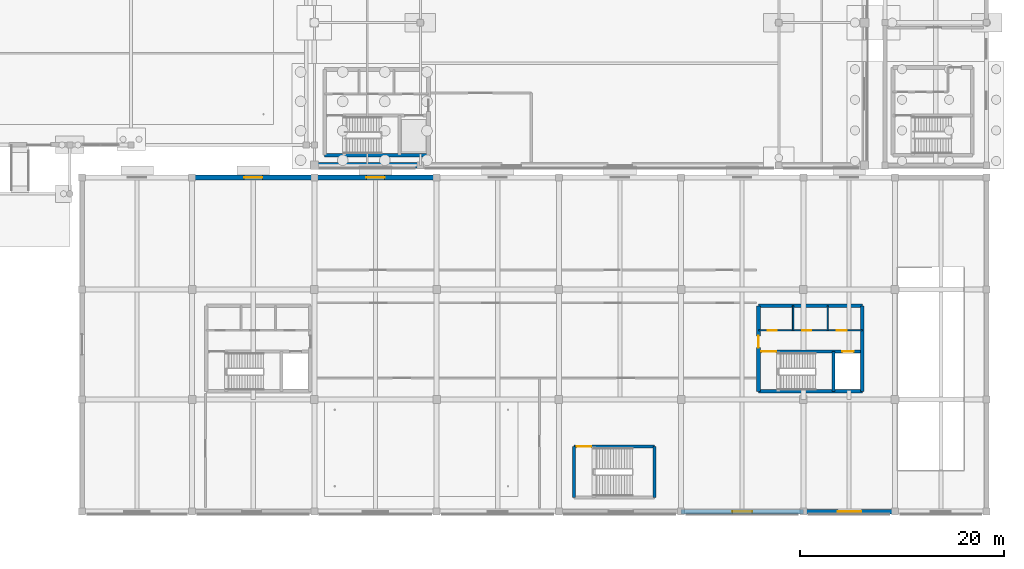
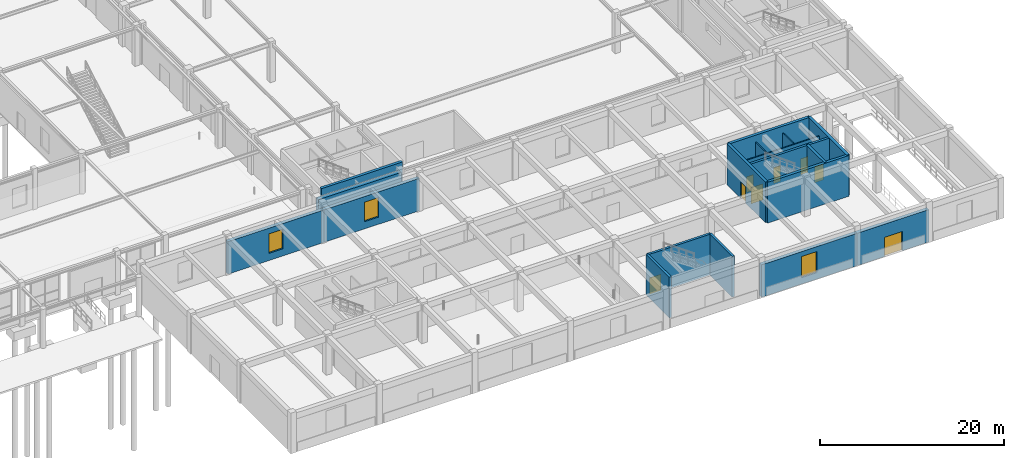
# One storey, part 31 of 53: 18 walls, 8 doors, 3 windows, 11 openings.
"""IFC4 building model written with IfcOpenShell, lengths in metres."""

from ifc_helpers import new_model, si_unit, derived_unit, direction, frame, frame_2d, origin, place, context, subcontext, project, spatial, rectangle, extrude, material, layer, layer_set, type_object, element, fill, save


model = new_model("IFC4")

# Units and contexts
model_context = context("Model", 3, precision=1e-05, world=origin(), true_north=direction((0.0, 1.0)))
body_context = subcontext(model_context, "Body", "Model", "MODEL_VIEW")
ifc_project = project(units=[si_unit("LENGTHUNIT", "METRE"), si_unit("AREAUNIT", "SQUARE_METRE"), si_unit("VOLUMEUNIT", "CUBIC_METRE"), si_unit("PLANEANGLEUNIT", "RADIAN"), si_unit("MASSUNIT", "GRAM", prefix="KILO"), derived_unit("THERMALTRANSMITTANCEUNIT", [(si_unit("POWERUNIT", "WATT"), 1), (si_unit("LENGTHUNIT", "METRE"), -2), (si_unit("THERMODYNAMICTEMPERATUREUNIT", "KELVIN"), -1)])], contexts=[model_context])

# Site, building, storey
site_placement = place(None, origin())
site = spatial("IfcSite", under=ifc_project, at=site_placement, CompositionType="ELEMENT")
building_placement = place(site_placement, origin())
building = spatial("IfcBuilding", under=site, at=building_placement, Name="Almenara Railside Exhibition Hall", CompositionType="ELEMENT")
storey_placement = place(building_placement, origin())
storey = spatial("IfcBuildingStorey", under=building, at=storey_placement, Name="L00", CompositionType="ELEMENT", Elevation=0.0)

# Walls
ifc_material_1 = material(Name="Concrete C35/45", Category="concrete")
ifc_layer_1 = layer(ifc_material_1, 0.35009765625, Name="Concrete C35/45")
ifc_layer_set_1 = layer_set([ifc_layer_1], Name="Concrete C35/45")
wall_type_1 = type_object("IfcWallType", Name="Core Coupled Shear Wall 350mm C35/45", PredefinedType="SHEAR", material=ifc_layer_set_1)
for number, where, z_axis, x_axis, name in (
    (1, (139.0, 35.0, 0.0), (0.0, 0.0, 1.0), (1.0, 0.0, 0.0), "Interior wall 0055"),
    (2, (181.60009765625, 11.800048828125, 0.0), (0.0, 0.0, 1.0), (1.0, 0.0, 0.0), "Interior wall 0154"),
    (3, (191.800048828125, 20.199951171875, 0.0), (0.0, 0.0, 1.0), (-1.0, 0.0, 0.0), "Interior wall 0155"),
):
    element("IfcWall", number, at=place(storey_placement, frame(where, z_axis=z_axis, x_axis=x_axis)), inside=storey, type_object=wall_type_1, Name=name, PredefinedType="SHEAR", context=body_context, shape_type="SweptSolid", body=[
        extrude(rectangle(XDim=10.199951171875, YDim=0.35009765625, at=frame_2d((5.10009765625, 0.0))), origin(), (0.0, 0.0, 1.0), 5.39990234375),
    ])

# Wall, opening, door
wall_1_placement = place(storey_placement, frame((181.60009765625, 20.199951171875, 0.0), z_axis=(0.0, 0.0, 1.0), x_axis=(0.0, -1.0, 0.0)))
wall_1 = element("IfcWall", 4, at=wall_1_placement, inside=storey, type_object=wall_type_1, Name="Interior wall 0156", PredefinedType="SHEAR", context=body_context, shape_type="SweptSolid", body=[
    extrude(rectangle(XDim=8.39990234375, YDim=0.35009765625, at=frame_2d((4.199951171875, 0.0))), origin(), (0.0, 0.0, 1.0), 5.39990234375),
])
opening_1_placement = place(wall_1_placement, frame((2.949951171875, 0.0, 0.0)))
opening_1 = element("IfcOpeningElement", 5, at=opening_1_placement, cuts=wall_1, Name="Opening FD-115", PredefinedType="OPENING", context=body_context, shape_type="SweptSolid", body=[
    extrude(rectangle(XDim=1.14990234375, YDim=2.14990234375, at=frame_2d((0.574951171875, 1.074951171875))), frame((0.0, 0.18505859375, 0.0), z_axis=(0.0, -1.0, 0.0), x_axis=(1.0, 0.0, 0.0)), (0.0, 0.0, 1.0), 0.3701171875),
])
ifc_material_2 = material(Name="Fire-rated iroko timber door", Category="wood")
door_type_1 = type_object("IfcDoorType", Name="Core Lobby Fire Door 1150x2150 EI60", OperationType="NOTDEFINED", PredefinedType="DOOR", material=ifc_material_2)
door_1_placement = place(opening_1_placement, frame((1.14990234375, 0.0, 0.0), z_axis=(0.0, 0.0, 1.0), x_axis=(-1.0, 0.0, 0.0)))
door_1 = element("IfcDoor", 6, at=door_1_placement, inside=storey, type_object=door_type_1, Name="Interior door FD-115-103", OperationType="SINGLE_SWING_LEFT", OverallHeight=2.14990234375, OverallWidth=1.14990234375, PredefinedType="DOOR", context=body_context, shape_type="SweptSolid", body=[
    extrude(rectangle(XDim=1.14990234375, YDim=2.14990234375, at=frame_2d((0.574951171875, 1.074951171875))), frame((0.0, 0.02490234375, 0.0), z_axis=(0.0, -1.0, 0.0), x_axis=(1.0, 0.0, 0.0)), (0.0, 0.0, 1.0), 0.050048828125),
])
fill(opening_1, door_1)

# Wall
wall_2_placement = place(storey_placement, frame((191.800048828125, 11.800048828125, 0.0), z_axis=(0.0, 0.0, 1.0), x_axis=(0.0, 1.0, 0.0)))
element("IfcWall", 7, at=wall_2_placement, inside=storey, type_object=wall_type_1, Name="Interior wall 0157", PredefinedType="SHEAR", context=body_context, shape_type="SweptSolid", body=[
    extrude(rectangle(XDim=8.39990234375, YDim=0.35009765625, at=frame_2d((4.199951171875, 0.0))), origin(), (0.0, 0.0, 1.0), 5.39990234375),
])

# Wall, opening, window
ifc_material_3 = material(Name="Ochre-white lime-rendered masonry over Concrete C35/45", Category="masonry")
ifc_layer_2 = layer(ifc_material_3, 0.449951171875, Name="Ochre-white lime-rendered masonry over Concrete C35/45")
ifc_layer_set_2 = layer_set([ifc_layer_2], Name="Ochre-white lime-rendered masonry over Concrete C35/45")
wall_type_2 = type_object("IfcWallType", Name="Exterior Civic Stucco Wall 450mm C35/45", PredefinedType="SOLIDWALL", material=ifc_layer_set_2)
wall_3_placement = place(storey_placement, frame((138.0, 32.800048828125, 0.0), z_axis=(0.0, 0.0, 1.0), x_axis=(-1.0, 0.0, 0.0)))
wall_3 = element("IfcWall", 8, at=wall_3_placement, inside=storey, type_object=wall_type_2, Name="Exterior wall 0175", PredefinedType="SOLIDWALL", context=body_context, shape_type="SweptSolid", body=[
    extrude(rectangle(XDim=12.0, YDim=0.449951171875, at=frame_2d((6.0, 0.0))), origin(), (0.0, 0.0, 1.0), 4.300048828125),
])
opening_2_placement = place(wall_3_placement, frame((5.10009765625, 0.0, 0.949951171875)))
opening_2 = element("IfcOpeningElement", 9, at=opening_2_placement, cuts=wall_3, Name="Opening W-05", PredefinedType="OPENING", context=body_context, shape_type="SweptSolid", body=[
    extrude(rectangle(XDim=1.800048828125, YDim=2.60009765625, at=frame_2d((0.89990234375, 1.300048828125))), frame((0.0, 0.23486328125, 0.0), z_axis=(0.0, -1.0, 0.0), x_axis=(1.0, 0.0, 0.0)), (0.0, 0.0, 1.0), 0.469970703125),
])
ifc_material_4 = material(Name="Bronze-anodised aluminium and low-E double glazing", Category="aluminium")
window_type_1 = type_object("IfcWindowType", Name="Courtyard Deep-Reveal Window 1800x2600", PartitioningType="DOUBLE_PANEL_VERTICAL", PredefinedType="WINDOW", material=ifc_material_4)
window_1_placement = place(opening_2_placement, origin())
window_1 = element("IfcWindow", 10, at=window_1_placement, inside=storey, type_object=window_type_1, Name="Window 0043", OverallHeight=2.60009765625, OverallWidth=1.800048828125, PartitioningType="DOUBLE_PANEL_VERTICAL", PredefinedType="WINDOW", context=body_context, shape_type="SweptSolid", body=[
    extrude(rectangle(XDim=1.800048828125, YDim=2.60009765625, at=frame_2d((0.89990234375, 1.300048828125))), frame((0.0, 0.030029296875, 0.0), z_axis=(0.0, -1.0, 0.0), x_axis=(1.0, 0.0, 0.0)), (0.0, 0.0, 1.0), 0.06005859375),
])
fill(opening_2, window_1)

wall_4_placement = place(storey_placement, frame((150.0, 32.800048828125, 0.0), z_axis=(0.0, 0.0, 1.0), x_axis=(-1.0, 0.0, 0.0)))
wall_4 = element("IfcWall", 11, at=wall_4_placement, inside=storey, type_object=wall_type_2, Name="Exterior wall 0177", PredefinedType="SOLIDWALL", context=body_context, shape_type="SweptSolid", body=[
    extrude(rectangle(XDim=12.0, YDim=0.449951171875, at=frame_2d((6.0, 0.0))), origin(), (0.0, 0.0, 1.0), 4.300048828125),
])
opening_3_placement = place(wall_4_placement, frame((5.10009765625, 0.0, 0.949951171875)))
opening_3 = element("IfcOpeningElement", 12, at=opening_3_placement, cuts=wall_4, Name="Opening W-05", PredefinedType="OPENING", context=body_context, shape_type="SweptSolid", body=[
    extrude(rectangle(XDim=1.800048828125, YDim=2.60009765625, at=frame_2d((0.89990234375, 1.300048828125))), frame((0.0, 0.23486328125, 0.0), z_axis=(0.0, -1.0, 0.0), x_axis=(1.0, 0.0, 0.0)), (0.0, 0.0, 1.0), 0.469970703125),
])
window_2_placement = place(opening_3_placement, origin())
window_2 = element("IfcWindow", 13, at=window_2_placement, inside=storey, type_object=window_type_1, Name="Window 0045", OverallHeight=2.60009765625, OverallWidth=1.800048828125, PartitioningType="DOUBLE_PANEL_VERTICAL", PredefinedType="WINDOW", context=body_context, shape_type="SweptSolid", body=[
    extrude(rectangle(XDim=1.800048828125, YDim=2.60009765625, at=frame_2d((0.89990234375, 1.300048828125))), frame((0.0, 0.030029296875, 0.0), z_axis=(0.0, -1.0, 0.0), x_axis=(1.0, 0.0, 0.0)), (0.0, 0.0, 1.0), 0.06005859375),
])
fill(opening_3, window_2)

wall_5_placement = place(storey_placement, frame((174.0, 0.0, 0.0), z_axis=(0.0, 0.0, 1.0), x_axis=(1.0, 0.0, 0.0)))
wall_5 = element("IfcWall", 14, at=wall_5_placement, inside=storey, type_object=wall_type_2, Name="Exterior wall 0182", PredefinedType="SOLIDWALL", context=body_context, shape_type="SweptSolid", body=[
    extrude(rectangle(XDim=12.0, YDim=0.449951171875, at=frame_2d((6.0, 0.0))), origin(), (0.0, 0.0, 1.0), 4.300048828125),
])
opening_4_placement = place(wall_5_placement, frame((5.02490234375, 0.0, 0.85009765625)))
opening_4 = element("IfcOpeningElement", 15, at=opening_4_placement, cuts=wall_5, Name="Opening W-04", PredefinedType="OPENING", context=body_context, shape_type="SweptSolid", body=[
    extrude(rectangle(XDim=1.949951171875, YDim=2.800048828125, at=frame_2d((0.97509765625, 1.39990234375))), frame((0.0, 0.23486328125, 0.0), z_axis=(0.0, -1.0, 0.0), x_axis=(1.0, 0.0, 0.0)), (0.0, 0.0, 1.0), 0.469970703125),
])
window_type_2 = type_object("IfcWindowType", Name="Community Forum Window 1950x2800", PartitioningType="DOUBLE_PANEL_VERTICAL", PredefinedType="WINDOW", material=ifc_material_4)
window_3_placement = place(opening_4_placement, origin())
window_3 = element("IfcWindow", 16, at=window_3_placement, inside=storey, type_object=window_type_2, Name="Window 0049", OverallHeight=2.800048828125, OverallWidth=1.949951171875, PartitioningType="DOUBLE_PANEL_VERTICAL", PredefinedType="WINDOW", context=body_context, shape_type="SweptSolid", body=[
    extrude(rectangle(XDim=1.949951171875, YDim=2.800048828125, at=frame_2d((0.97509765625, 1.39990234375))), frame((0.0, 0.030029296875, 0.0), z_axis=(0.0, -1.0, 0.0), x_axis=(1.0, 0.0, 0.0)), (0.0, 0.0, 1.0), 0.06005859375),
])
fill(opening_4, window_3)

# Wall, opening, door
wall_6_placement = place(storey_placement, frame((186.0, 0.0, 0.0), z_axis=(0.0, 0.0, 1.0), x_axis=(1.0, 0.0, 0.0)))
wall_6 = element("IfcWall", 17, at=wall_6_placement, inside=storey, type_object=wall_type_2, Name="Exterior wall 0184", PredefinedType="SOLIDWALL", context=body_context, shape_type="SweptSolid", body=[
    extrude(rectangle(XDim=9.0, YDim=0.449951171875, at=frame_2d((4.5, 0.0))), origin(), (0.0, 0.0, 1.0), 4.300048828125),
])
opening_5_placement = place(wall_6_placement, frame((3.39990234375, 0.0, 0.0)))
opening_5 = element("IfcOpeningElement", 18, at=opening_5_placement, cuts=wall_6, Name="Opening ED-26", PredefinedType="OPENING", context=body_context, shape_type="SweptSolid", body=[
    extrude(rectangle(XDim=2.300048828125, YDim=2.550048828125, at=frame_2d((1.14990234375, 1.27490234375))), frame((0.0, 0.23486328125, 0.0), z_axis=(0.0, -1.0, 0.0), x_axis=(1.0, 0.0, 0.0)), (0.0, 0.0, 1.0), 0.469970703125),
])
ifc_material_5 = material(Name="Bronze-anodised glazed entrance door")
door_type_2 = type_object("IfcDoorType", Name="Hall Gable Double Exit Door 2300x2550", OperationType="NOTDEFINED", PredefinedType="DOOR", material=ifc_material_5)
door_2_placement = place(opening_5_placement, frame((2.300048828125, 0.0, 0.0), z_axis=(0.0, 0.0, 1.0), x_axis=(-1.0, 0.0, 0.0)))
door_2 = element("IfcDoor", 19, at=door_2_placement, inside=storey, type_object=door_type_2, Name="Exterior door ED-26", OperationType="DOUBLE_DOOR_SINGLE_SWING", OverallHeight=2.550048828125, OverallWidth=2.300048828125, PredefinedType="DOOR", context=body_context, shape_type="SweptSolid", body=[
    extrude(rectangle(XDim=2.300048828125, YDim=2.550048828125, at=frame_2d((1.14990234375, 1.27490234375))), frame((0.0, 0.02490234375, 0.0), z_axis=(0.0, -1.0, 0.0), x_axis=(1.0, 0.0, 0.0)), (0.0, 0.0, 1.0), 0.050048828125),
])
fill(opening_5, door_2)

# Wall
ifc_layer_3 = layer(ifc_material_3, 0.510009765625, Name="Ochre-white lime-rendered masonry over Concrete C35/45")
ifc_layer_set_3 = layer_set([ifc_layer_3], Name="Ochre-white lime-rendered masonry over Concrete C35/45")
wall_type_3 = type_object("IfcWallType", Name="Exterior East Hall Thermal Wall 510mm C35/45", PredefinedType="SOLIDWALL", material=ifc_layer_set_3)
wall_7_placement = place(storey_placement, frame((138.0, 34.0, 0.0), z_axis=(0.0, 0.0, 1.0), x_axis=(1.0, 0.0, 0.0)))
element("IfcWall", 20, at=wall_7_placement, inside=storey, type_object=wall_type_3, Name="Exterior wall 0096", PredefinedType="SOLIDWALL", context=body_context, shape_type="SweptSolid", body=[
    extrude(rectangle(XDim=10.39990234375, YDim=0.510009765625, at=frame_2d((5.199951171875, 0.0))), origin(), (0.0, 0.0, 1.0), 4.949951171875),
])

# Wall, openings, doors
ifc_material_6 = material(Name="Moisture-resistant tiled masonry partition", Category="masonry")
ifc_layer_4 = layer(ifc_material_6, 0.139892578125, Name="Moisture-resistant tiled masonry partition")
ifc_layer_set_4 = layer_set([ifc_layer_4], Name="Moisture-resistant tiled masonry partition")
wall_type_4 = type_object("IfcWallType", Name="Sanitary Wet-Wall Partition 140mm", PredefinedType="PARTITIONING", material=ifc_layer_set_4)
wall_8_placement = place(storey_placement, frame((181.60009765625, 17.800048828125, 0.0), z_axis=(0.0, 0.0, 1.0), x_axis=(1.0, 0.0, 0.0)))
wall_8 = element("IfcWall", 21, at=wall_8_placement, inside=storey, type_object=wall_type_4, Name="Interior wall 0160", PredefinedType="PARTITIONING", context=body_context, shape_type="SweptSolid", body=[
    extrude(rectangle(XDim=10.199951171875, YDim=0.139892578125, at=frame_2d((5.10009765625, 0.0))), origin(), (0.0, 0.0, 1.0), 4.324951171875),
])
opening_6_placement = place(wall_8_placement, frame((0.89990234375, 0.0, 0.0)))
opening_6 = element("IfcOpeningElement", 22, at=opening_6_placement, cuts=wall_8, Name="Opening ID-09", PredefinedType="OPENING", context=body_context, shape_type="SweptSolid", body=[
    extrude(rectangle(XDim=0.89990234375, YDim=2.10009765625, at=frame_2d((0.449951171875, 1.050048828125))), frame((0.0, 0.079833984375, 0.0), z_axis=(0.0, -1.0, 0.0), x_axis=(1.0, 0.0, 0.0)), (0.0, 0.0, 1.0), 0.159912109375),
])
opening_7_placement = place(wall_8_placement, frame((4.300048828125, 0.0, 0.0)))
opening_7 = element("IfcOpeningElement", 23, at=opening_7_placement, cuts=wall_8, Name="Opening ID-09", PredefinedType="OPENING", context=body_context, shape_type="SweptSolid", body=[
    extrude(rectangle(XDim=0.89990234375, YDim=2.10009765625, at=frame_2d((0.449951171875, 1.050048828125))), frame((0.0, 0.079833984375, 0.0), z_axis=(0.0, -1.0, 0.0), x_axis=(1.0, 0.0, 0.0)), (0.0, 0.0, 1.0), 0.159912109375),
])
opening_8_placement = place(wall_8_placement, frame((7.699951171875, 0.0, 0.0)))
opening_8 = element("IfcOpeningElement", 24, at=opening_8_placement, cuts=wall_8, Name="Opening ID-095", PredefinedType="OPENING", context=body_context, shape_type="SweptSolid", body=[
    extrude(rectangle(XDim=0.949951171875, YDim=2.10009765625, at=frame_2d((0.47509765625, 1.050048828125))), frame((0.0, 0.079833984375, 0.0), z_axis=(0.0, -1.0, 0.0), x_axis=(1.0, 0.0, 0.0)), (0.0, 0.0, 1.0), 0.159912109375),
])
ifc_material_7 = material(Name="Moisture-resistant hardwood door", Category="wood")
door_type_3 = type_object("IfcDoorType", Name="Accessible Toilet Door 950x2100", OperationType="NOTDEFINED", PredefinedType="DOOR", material=ifc_material_7)
door_3_placement = place(opening_8_placement, origin())
door_3 = element("IfcDoor", 25, at=door_3_placement, inside=storey, type_object=door_type_3, Name="Interior door ID-095-108", OperationType="SINGLE_SWING_RIGHT", OverallHeight=2.10009765625, OverallWidth=0.949951171875, PredefinedType="DOOR", context=body_context, shape_type="SweptSolid", body=[
    extrude(rectangle(XDim=0.949951171875, YDim=2.10009765625, at=frame_2d((0.47509765625, 1.050048828125))), frame((0.0, 0.02490234375, 0.0), z_axis=(0.0, -1.0, 0.0), x_axis=(1.0, 0.0, 0.0)), (0.0, 0.0, 1.0), 0.050048828125),
])
fill(opening_8, door_3)
door_type_4 = type_object("IfcDoorType", Name="Sanitary Lobby Single Door 900x2100", OperationType="NOTDEFINED", PredefinedType="DOOR", material=ifc_material_7)
door_4_placement = place(opening_6_placement, origin())
door_4 = element("IfcDoor", 26, at=door_4_placement, inside=storey, type_object=door_type_4, Name="Interior door ID-09-106", OperationType="SINGLE_SWING_RIGHT", OverallHeight=2.10009765625, OverallWidth=0.89990234375, PredefinedType="DOOR", context=body_context, shape_type="SweptSolid", body=[
    extrude(rectangle(XDim=0.89990234375, YDim=2.10009765625, at=frame_2d((0.449951171875, 1.050048828125))), frame((0.0, 0.02490234375, 0.0), z_axis=(0.0, -1.0, 0.0), x_axis=(1.0, 0.0, 0.0)), (0.0, 0.0, 1.0), 0.050048828125),
])
fill(opening_6, door_4)
door_5_placement = place(opening_7_placement, origin())
door_5 = element("IfcDoor", 27, at=door_5_placement, inside=storey, type_object=door_type_4, Name="Interior door ID-09-107", OperationType="SINGLE_SWING_LEFT", OverallHeight=2.10009765625, OverallWidth=0.89990234375, PredefinedType="DOOR", context=body_context, shape_type="SweptSolid", body=[
    extrude(rectangle(XDim=0.89990234375, YDim=2.10009765625, at=frame_2d((0.449951171875, 1.050048828125))), frame((0.0, 0.02490234375, 0.0), z_axis=(0.0, -1.0, 0.0), x_axis=(1.0, 0.0, 0.0)), (0.0, 0.0, 1.0), 0.050048828125),
])
fill(opening_7, door_5)

# Walls
for number, where, z_axis, x_axis, name in (
    (28, (185.0, 17.800048828125, 0.0), (0.0, 0.0, 1.0), (0.0, 1.0, 0.0), "Interior wall 0161"),
    (29, (188.39990234375, 17.800048828125, 0.0), (0.0, 0.0, 1.0), (0.0, 1.0, 0.0), "Interior wall 0162"),
):
    element("IfcWall", number, at=place(storey_placement, frame(where, z_axis=z_axis, x_axis=x_axis)), inside=storey, type_object=wall_type_4, Name=name, PredefinedType="PARTITIONING", context=body_context, shape_type="SweptSolid", body=[
        extrude(rectangle(XDim=2.39990234375, YDim=0.139892578125, at=frame_2d((1.199951171875, 0.0))), origin(), (0.0, 0.0, 1.0), 4.5),
    ])

# Wall, openings, doors
ifc_layer_5 = layer(ifc_material_1, 0.300048828125, Name="Concrete C35/45")
ifc_layer_set_5 = layer_set([ifc_layer_5], Name="Concrete C35/45")
wall_type_5 = type_object("IfcWallType", Name="Stair and Lift Shaft Wall 300mm C35/45", PredefinedType="SHEAR", material=ifc_layer_set_5)
wall_9_placement = place(storey_placement, frame((181.60009765625, 15.699951171875, 0.0), z_axis=(0.0, 0.0, 1.0), x_axis=(1.0, 0.0, 0.0)))
wall_9 = element("IfcWall", 30, at=wall_9_placement, inside=storey, type_object=wall_type_5, Name="Interior wall 0158", PredefinedType="SHEAR", context=body_context, shape_type="SweptSolid", body=[
    extrude(rectangle(XDim=10.199951171875, YDim=0.300048828125, at=frame_2d((5.10009765625, 0.0))), origin(), (0.0, 0.0, 1.0), 5.39990234375),
])
opening_9_placement = place(wall_9_placement, frame((0.280029296875, 0.0, 0.0)))
opening_9 = element("IfcOpeningElement", 31, at=opening_9_placement, cuts=wall_9, Name="Opening FD-145", PredefinedType="OPENING", context=body_context, shape_type="SweptSolid", body=[
    extrude(rectangle(XDim=1.449951171875, YDim=2.14990234375, at=frame_2d((0.72509765625, 1.074951171875))), frame((0.0, 0.159912109375, 0.0), z_axis=(0.0, -1.0, 0.0), x_axis=(1.0, 0.0, 0.0)), (0.0, 0.0, 1.0), 0.320068359375),
])
opening_10_placement = place(wall_9_placement, frame((8.22509765625, 0.0, 0.0)))
opening_10 = element("IfcOpeningElement", 32, at=opening_10_placement, cuts=wall_9, Name="Opening LD-11-C6", PredefinedType="OPENING", context=body_context, shape_type="SweptSolid", body=[
    extrude(rectangle(XDim=1.10009765625, YDim=2.14990234375, at=frame_2d((0.550048828125, 1.074951171875))), frame((0.0, 0.159912109375, 0.0), z_axis=(0.0, -1.0, 0.0), x_axis=(1.0, 0.0, 0.0)), (0.0, 0.0, 1.0), 0.320068359375),
])
ifc_material_8 = material(Name="Steel-framed fire-rated timber door", Category="steel")
door_type_5 = type_object("IfcDoorType", Name="Fire Escape Stair Door 1450x2150 EI60", OperationType="NOTDEFINED", PredefinedType="DOOR", material=ifc_material_8)
door_6_placement = place(opening_9_placement, origin())
door_6 = element("IfcDoor", 33, at=door_6_placement, inside=storey, type_object=door_type_5, Name="Interior door FD-145-104", OperationType="DOUBLE_DOOR_SINGLE_SWING", OverallHeight=2.14990234375, OverallWidth=1.449951171875, PredefinedType="DOOR", context=body_context, shape_type="SweptSolid", body=[
    extrude(rectangle(XDim=1.449951171875, YDim=2.14990234375, at=frame_2d((0.72509765625, 1.074951171875))), frame((0.0, 0.02490234375, 0.0), z_axis=(0.0, -1.0, 0.0), x_axis=(1.0, 0.0, 0.0)), (0.0, 0.0, 1.0), 0.050048828125),
])
fill(opening_9, door_6)
ifc_material_9 = material(Name="Brushed bronze-stainless steel sliding landing door", Category="steel")
door_type_6 = type_object("IfcDoorType", Name="Passenger Lift Sliding Landing Door 1100x2150", OperationType="DOUBLE_DOOR_SLIDING", PredefinedType="DOOR", material=ifc_material_9)
door_7_placement = place(opening_10_placement, origin())
door_7 = element("IfcDoor", 34, at=door_7_placement, inside=storey, type_object=door_type_6, Name="Interior door LD-11-C6-105", OperationType="DOUBLE_DOOR_SLIDING", OverallHeight=2.14990234375, OverallWidth=1.10009765625, PredefinedType="DOOR", context=body_context, shape_type="SweptSolid", body=[
    extrude(rectangle(XDim=1.10009765625, YDim=2.14990234375, at=frame_2d((0.550048828125, 1.074951171875))), frame((0.0, 0.02490234375, 0.0), z_axis=(0.0, -1.0, 0.0), x_axis=(1.0, 0.0, 0.0)), (0.0, 0.0, 1.0), 0.050048828125),
])
fill(opening_10, door_7)

# Wall
wall_10_placement = place(storey_placement, frame((188.949951171875, 11.800048828125, 0.0), z_axis=(0.0, 0.0, 1.0), x_axis=(0.0, 1.0, 0.0)))
element("IfcWall", 35, at=wall_10_placement, inside=storey, type_object=wall_type_5, Name="Interior wall 0159", PredefinedType="SHEAR", context=body_context, shape_type="SweptSolid", body=[
    extrude(rectangle(XDim=3.89990234375, YDim=0.300048828125, at=frame_2d((1.949951171875, 0.0))), origin(), (0.0, 0.0, 1.0), 5.39990234375),
])

# Wall, opening, door
wall_11_placement = place(storey_placement, frame((171.39990234375, 6.39990234375, 0.0), z_axis=(0.0, 0.0, 1.0), x_axis=(-1.0, 0.0, 0.0)))
wall_11 = element("IfcWall", 36, at=wall_11_placement, inside=storey, type_object=wall_type_5, Name="Interior wall 0317", PredefinedType="SHEAR", context=body_context, shape_type="SweptSolid", body=[
    extrude(rectangle(XDim=7.89990234375, YDim=0.300048828125, at=frame_2d((3.949951171875, 0.0))), origin(), (0.0, 0.0, 1.0), 5.39990234375),
])
opening_11_placement = place(wall_11_placement, frame((6.199951171875, 0.0, 0.0)))
opening_11 = element("IfcOpeningElement", 37, at=opening_11_placement, cuts=wall_11, Name="Opening FD-145", PredefinedType="OPENING", context=body_context, shape_type="SweptSolid", body=[
    extrude(rectangle(XDim=1.449951171875, YDim=2.14990234375, at=frame_2d((0.72509765625, 1.074951171875))), frame((0.0, 0.159912109375, 0.0), z_axis=(0.0, -1.0, 0.0), x_axis=(1.0, 0.0, 0.0)), (0.0, 0.0, 1.0), 0.320068359375),
])
door_8_placement = place(opening_11_placement, origin())
door_8 = element("IfcDoor", 38, at=door_8_placement, inside=storey, type_object=door_type_5, Name="Interior door FD-145-194", OperationType="DOUBLE_DOOR_SINGLE_SWING", OverallHeight=2.14990234375, OverallWidth=1.449951171875, PredefinedType="DOOR", context=body_context, shape_type="SweptSolid", body=[
    extrude(rectangle(XDim=1.449951171875, YDim=2.14990234375, at=frame_2d((0.72509765625, 1.074951171875))), frame((0.0, 0.02490234375, 0.0), z_axis=(0.0, -1.0, 0.0), x_axis=(1.0, 0.0, 0.0)), (0.0, 0.0, 1.0), 0.050048828125),
])
fill(opening_11, door_8)

# Walls
for number, where, z_axis, x_axis, name in (
    (39, (163.5, 6.39990234375, 0.0), (0.0, 0.0, 1.0), (0.0, -1.0, 0.0), "Interior wall 0318"),
    (40, (171.39990234375, 1.39990234375, 0.0), (0.0, 0.0, 1.0), (0.0, 1.0, 0.0), "Interior wall 0319"),
):
    element("IfcWall", number, at=place(storey_placement, frame(where, z_axis=z_axis, x_axis=x_axis)), inside=storey, type_object=wall_type_5, Name=name, PredefinedType="SHEAR", context=body_context, shape_type="SweptSolid", body=[
        extrude(rectangle(XDim=5.0, YDim=0.300048828125, at=frame_2d((2.5, 0.0))), origin(), (0.0, 0.0, 1.0), 5.39990234375),
    ])

save(model, "model.ifc")
